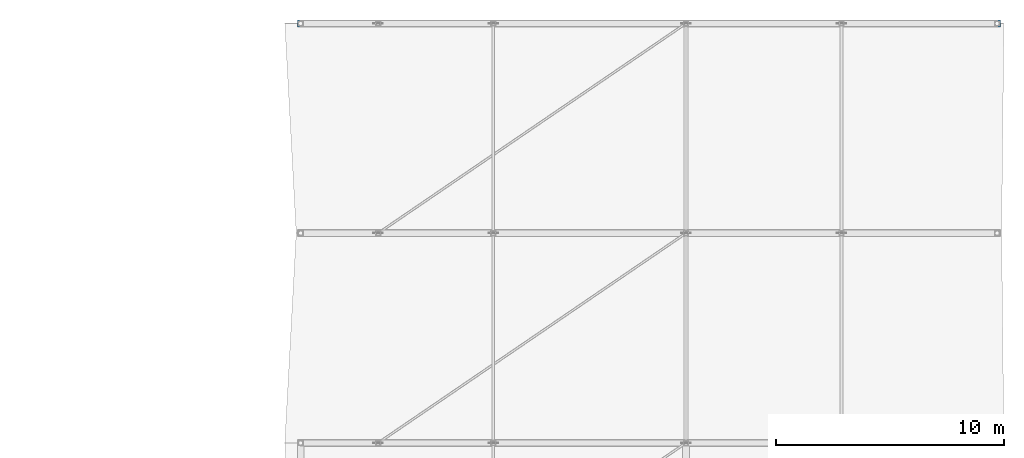
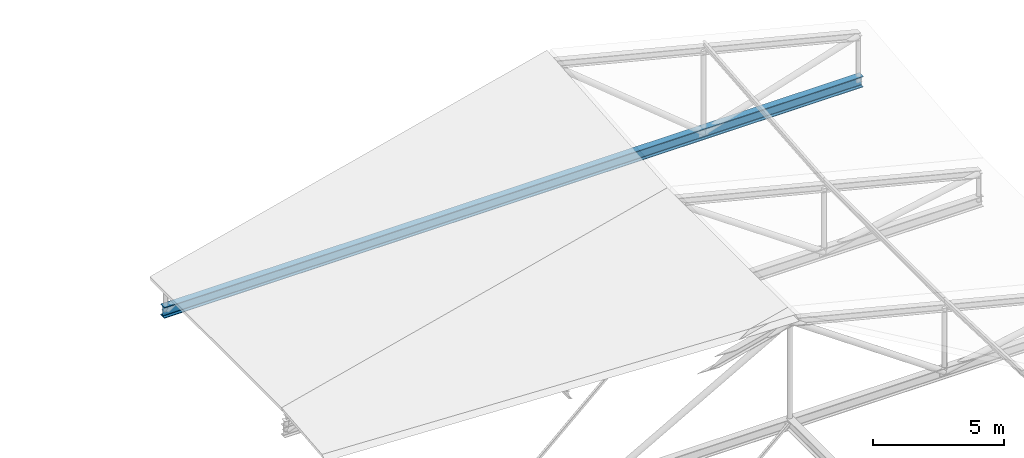
# One storey, part 36 of 56: 1 beam.
"""IFC4 building model written with IfcOpenShell, lengths in metres."""

from ifc_helpers import new_model, si_unit, direction, frame, origin, origin_2d, place, context, subcontext, project, spatial, i_section, extrude, material, material_profile, profile_set, type_object, element, save


model = new_model("IFC4")

# Units and contexts
model_context = context("Model", 3, precision=1e-05, world=origin(), true_north=direction((0.0, 1.0)))
body_context = subcontext(model_context, "Body", "Model", "MODEL_VIEW")
ifc_project = project(units=[si_unit("LENGTHUNIT", "METRE"), si_unit("AREAUNIT", "SQUARE_METRE"), si_unit("VOLUMEUNIT", "CUBIC_METRE"), si_unit("PLANEANGLEUNIT", "RADIAN"), si_unit("MASSUNIT", "GRAM", prefix="KILO")], contexts=[model_context])

# Site, building, storey
site_placement = place(None, origin())
site = spatial("IfcSite", under=ifc_project, at=site_placement, CompositionType="ELEMENT")
building_placement = place(site_placement, origin())
building = spatial("IfcBuilding", under=site, at=building_placement, Name="Bozkorgan Art Gallery", CompositionType="ELEMENT")
storey_placement = place(building_placement, frame((0.0, 0.0, 24.0)))
storey = spatial("IfcBuildingStorey", under=building, at=storey_placement, Name="L05", CompositionType="ELEMENT", Elevation=24.0)

# Beam
ifc_material = material(Name="Steel S355J2", Category="steel")
ifc_material_profile = material_profile(ifc_material, i_section(OverallWidth=0.300048828125, OverallDepth=0.5, WebThickness=0.014404296875, FlangeThickness=0.028076171875, FilletRadius=0.027099609375, at=origin_2d()), Name="HEB 500")
ifc_profile_set = profile_set([ifc_material_profile], Name="Steel S355J2")
beam_type = type_object("IfcBeamType", Name="BEAM-TO-52", PredefinedType="BEAM", material=ifc_profile_set)
beam_placement = place(storey_placement, frame((133.4599609375, 93.60009765625, 0.25), z_axis=(1.0, 0.0, 0.0), x_axis=(0.0, 1.0, 0.0)))
element("IfcBeam", 1, at=beam_placement, inside=storey, type_object=beam_type, Name="ROOF-V5-MAIN roof truss 5 bottom chord", PredefinedType="BEAM", context=body_context, shape_type="SweptSolid", body=[
    extrude(i_section(OverallWidth=0.300048828125, OverallDepth=0.5, WebThickness=0.014404296875, FlangeThickness=0.028076171875, FilletRadius=0.027099609375, at=origin_2d()), origin(), (0.0, 0.0, 1.0), 30.830078125),
])

save(model, "model.ifc")
